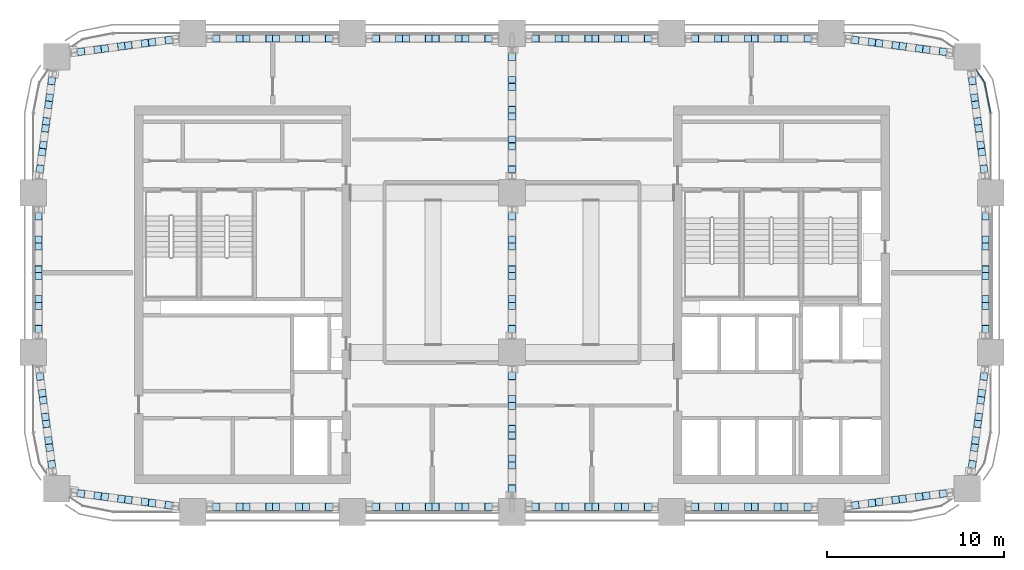
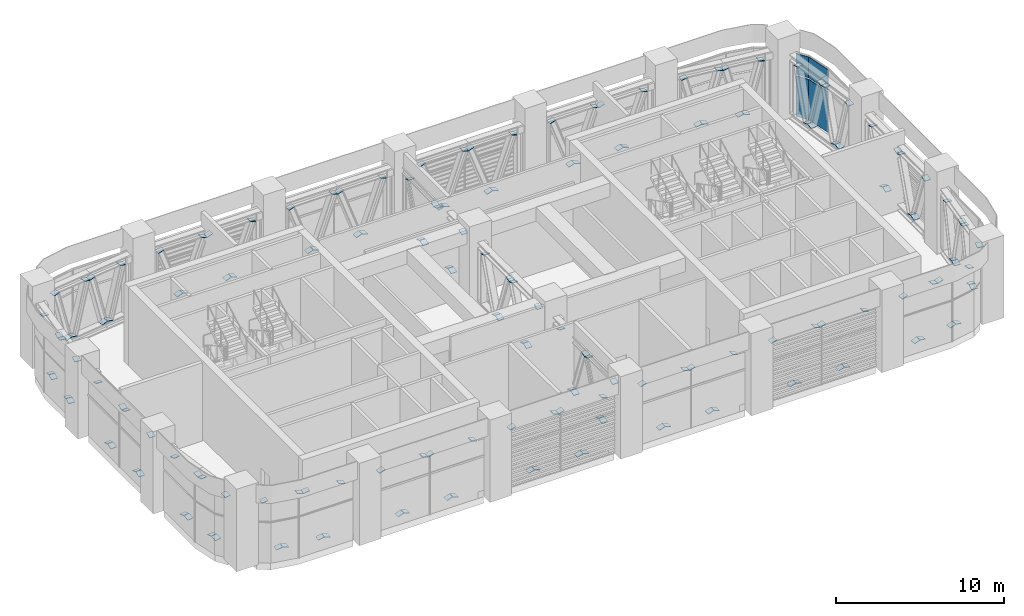
# One storey, part 11 of 19: 170 plates, 1 element without a shape of its own.
"""IFC4 building model written with IfcOpenShell, lengths in metres."""

from ifc_helpers import new_model, si_unit, direction, frame, origin, origin_2d, place, context, subcontext, project, spatial, polyline, rectangle, outline, extrude, material, layer, layer_set, type_object, element, aggregate, save


model = new_model("IFC4")

# Units and contexts
model_context = context("Model", 3, precision=1e-05, world=origin(), true_north=direction((0.0, 1.0)))
body_context = subcontext(model_context, "Body", "Model", "MODEL_VIEW")
ifc_project = project(units=[si_unit("LENGTHUNIT", "METRE"), si_unit("AREAUNIT", "SQUARE_METRE"), si_unit("VOLUMEUNIT", "CUBIC_METRE"), si_unit("PLANEANGLEUNIT", "RADIAN"), si_unit("MASSUNIT", "GRAM", prefix="KILO")], contexts=[model_context])

# Site, building, storey
site_placement = place(None, origin())
site = spatial("IfcSite", under=ifc_project, at=site_placement, CompositionType="ELEMENT")
building_placement = place(site_placement, origin())
building = spatial("IfcBuilding", under=site, at=building_placement, Name="Tessera Arch", CompositionType="ELEMENT")
storey_placement = place(building_placement, frame((0.0, 0.0, 197.300048828125)))
storey = spatial("IfcBuildingStorey", under=building, at=storey_placement, Name="L47", CompositionType="ELEMENT", Elevation=197.300048828125)

# Curtain wall, plates
ifc_material_1 = material(Name="CW7 curtain wall")
curtain_wall_type = type_object("IfcCurtainWallType", Name="CW7 curtain wall", PredefinedType="NOTDEFINED", material=ifc_material_1)
curtain_wall_placement = place(storey_placement, origin())
curtain_wall = element("IfcCurtainWall", 1, at=curtain_wall_placement, inside=storey, type_object=curtain_wall_type, Name="CW7 curtain wall E54.27/1 L47", PredefinedType="NOTDEFINED")
ifc_material_2 = material(Name="Pale anodised aluminium panel", Category="aluminium")
ifc_layer_1 = layer(ifc_material_2, 0.06005859375)
ifc_layer_set_1 = layer_set([ifc_layer_1], Name="CW7 plant wall panel")
plate_type_1 = type_object("IfcPlateType", Name="CW7 plant wall panel", PredefinedType="CURTAIN_PANEL", material=ifc_layer_set_1)
plate_1_placement = place(storey_placement, origin())
plate_1 = element("IfcPlate", 2, at=plate_1_placement, type_object=plate_type_1, Name="CW7 curved plant wall panel E54.27/1 2.1", PredefinedType="CURTAIN_PANEL", context=body_context, shape_type="SweptSolid", body=[
    extrude(outline(polyline([(53.629150390625, 51.21044921875), (53.96484375, 49.523681640625), (54.023681640625, 49.53515625), (53.685791015625, 51.23388671875), (53.2080078125, 51.94873046875), (53.158203125, 51.915283203125), (53.629150390625, 51.21044921875)])), origin(), (0.0, 0.0, 1.0), 2.93994140625),
])
plate_2_placement = place(storey_placement, frame((0.0, 0.0, 3.06005859375)))
plate_2 = element("IfcPlate", 3, at=plate_2_placement, type_object=plate_type_1, Name="CW7 curved plant wall panel E54.27/1 2.2", PredefinedType="CURTAIN_PANEL", context=body_context, shape_type="SweptSolid", body=[
    extrude(outline(polyline([(53.629150390625, 51.21044921875), (53.96484375, 49.523681640625), (54.023681640625, 49.53515625), (53.685791015625, 51.23388671875), (53.2080078125, 51.94873046875), (53.158203125, 51.915283203125), (53.629150390625, 51.21044921875)])), origin(), (0.0, 0.0, 1.0), 1.519775390625),
])
aggregate(curtain_wall, [plate_1, plate_2])

# Plates
ifc_material_3 = material(Name="Steel A572 Gr50", Category="steel")
ifc_layer_2 = layer(ifc_material_3, 0.0400390625)
ifc_layer_set_2 = layer_set([ifc_layer_2], Name="End plate W14x257")
plate_type_2 = type_object("IfcPlateType", Name="End plate W14x257", PredefinedType="SHEET", material=ifc_layer_set_2)
for number, where, z_axis, x_axis, name in (
    (4, (53.699951171875, 37.33251953125, 4.176513671875), (0.0, 0.336336396998, -0.941741911595), (-1.0, 0.0, 0.0), "End plate Belt truss diagonal 1 end 1"),
    (5, (53.699951171875, 38.61962890625, 0.56103515625), (0.0, 0.334409845171, -0.942427745481), (-1.0, 0.0, 0.0), "End plate Belt truss diagonal 1 end 2"),
    (6, (53.699951171875, 39.0107421875, 0.523193359375), (0.0, 0.334409845171, 0.942427745481), (-1.0, 0.0, 0.0), "End plate Belt truss diagonal 2 end 1"),
    (7, (53.699951171875, 40.2978515625, 4.138916015625), (0.0, 0.336336396998, 0.941741911595), (-1.0, 0.0, 0.0), "End plate Belt truss diagonal 2 end 2"),
    (8, (53.699951171875, 40.688720703125, 4.176513671875), (0.0, 0.336336396998, -0.941741911595), (-1.0, 0.0, 0.0), "End plate Belt truss diagonal 3 end 1"),
    (9, (53.699951171875, 41.975830078125, 0.56103515625), (0.0, 0.334409845171, -0.942427745481), (-1.0, 0.0, 0.0), "End plate Belt truss diagonal 3 end 2"),
    (10, (53.699951171875, 42.366943359375, 0.523193359375), (0.0, 0.334409845171, 0.942427745481), (-1.0, 0.0, 0.0), "End plate Belt truss diagonal 4 end 1"),
    (11, (53.699951171875, 43.654052734375, 4.138916015625), (0.0, 0.336336396998, 0.941741911595), (-1.0, 0.0, 0.0), "End plate Belt truss diagonal 4 end 2"),
    (12, (53.616455078125, 46.362548828125, 4.195068359375), (-0.030482138737, 0.243857109896, -0.969332011837), (-0.992277876714, -0.124034734589, 0.0), "End plate Belt truss diagonal 1 end 1"),
    (13, (53.492919921875, 47.297119140625, 0.543701171875), (-0.030436359126, 0.249578144836, -0.967876220218), (-0.992645877551, -0.121054375311, 0.0), "End plate Belt truss diagonal 1 end 2"),
    (14, (53.440185546875, 47.696044921875, 0.5048828125), (-0.030436359126, 0.249578144836, 0.967876220218), (-0.992645877551, -0.121054375311, 0.0), "End plate Belt truss diagonal 2 end 1"),
    (15, (53.316650390625, 48.630859375, 4.15625), (-0.030482138737, 0.243857109896, 0.969332011837), (-0.992277876714, -0.124034734589, 0.0), "End plate Belt truss diagonal 2 end 2"),
    (16, (53.263916015625, 49.02978515625, 4.195068359375), (-0.030482138737, 0.243857109896, -0.969332011837), (-0.992277876714, -0.124034734589, 0.0), "End plate Belt truss diagonal 3 end 1"),
    (17, (53.140380859375, 49.96435546875, 0.543701171875), (-0.030436359126, 0.249578144836, -0.967876220218), (-0.992645877551, -0.121054375311, 0.0), "End plate Belt truss diagonal 3 end 2"),
    (18, (53.087890625, 50.36328125, 0.5048828125), (-0.036516189644, 0.249527295897, 0.967679025553), (-0.989461064134, -0.144799180117, 0.0), "End plate Belt truss diagonal 4 end 1"),
    (19, (52.96435546875, 51.298095703125, 4.15625), (-0.036571091555, 0.243807277034, 0.969133926208), (-0.988936352868, -0.14834045293, 0.0), "End plate Belt truss diagonal 4 end 2"),
    (20, (51.307861328125, 52.962890625, 4.195068359375), (-0.243807277034, 0.036571091555, -0.969133926208), (-0.14834045293, -0.988936352868, 0.0), "End plate Belt truss diagonal 1 end 1"),
    (21, (50.373291015625, 53.08642578125, 0.543701171875), (-0.249527295897, 0.036516189644, -0.967679025553), (-0.144799180117, -0.989461064134, 0.0), "End plate Belt truss diagonal 1 end 2"),
    (22, (49.974365234375, 53.13916015625, 0.5048828125), (-0.249578144836, 0.030436359126, 0.967876220218), (-0.121054375311, -0.992645877551, 0.0), "End plate Belt truss diagonal 2 end 1"),
    (23, (49.03955078125, 53.2626953125, 4.15625), (-0.243857109896, 0.030482138737, 0.969332011837), (-0.124034734589, -0.992277876714, 0.0), "End plate Belt truss diagonal 2 end 2"),
    (24, (48.640625, 53.3154296875, 4.195068359375), (-0.243857109896, 0.030482138737, -0.969332011837), (-0.124034734589, -0.992277876714, 0.0), "End plate Belt truss diagonal 3 end 1"),
    (25, (47.7060546875, 53.43896484375, 0.543701171875), (-0.249578144836, 0.030436359126, -0.967876220218), (-0.121054375311, -0.992645877551, 0.0), "End plate Belt truss diagonal 3 end 2"),
    (26, (47.30712890625, 53.49169921875, 0.5048828125), (-0.249578144836, 0.030436359126, 0.967876220218), (-0.121054375311, -0.992645877551, 0.0), "End plate Belt truss diagonal 4 end 1"),
    (27, (46.372314453125, 53.615234375, 4.15625), (-0.243857109896, 0.030482138737, 0.969332011837), (-0.124034734589, -0.992277876714, 0.0), "End plate Belt truss diagonal 4 end 2"),
    (28, (43.66748046875, 53.699951171875, 4.176513671875), (-0.336336396998, 0.0, -0.941741911595), (0.0, -1.0, 0.0), "End plate Belt truss diagonal 1 end 1"),
    (29, (42.38037109375, 53.699951171875, 0.56103515625), (-0.334409845171, 0.0, -0.942427745481), (0.0, -1.0, 0.0), "End plate Belt truss diagonal 1 end 2"),
    (30, (41.9892578125, 53.699951171875, 0.523193359375), (-0.334409845171, 0.0, 0.942427745481), (0.0, -1.0, 0.0), "End plate Belt truss diagonal 2 end 1"),
    (31, (40.7021484375, 53.699951171875, 4.138916015625), (-0.336336396998, 0.0, 0.941741911595), (0.0, -1.0, 0.0), "End plate Belt truss diagonal 2 end 2"),
    (32, (40.311279296875, 53.699951171875, 4.176513671875), (-0.336336396998, 0.0, -0.941741911595), (0.0, -1.0, 0.0), "End plate Belt truss diagonal 3 end 1"),
    (33, (39.024169921875, 53.699951171875, 0.56103515625), (-0.334409845171, 0.0, -0.942427745481), (0.0, -1.0, 0.0), "End plate Belt truss diagonal 3 end 2"),
    (34, (38.633056640625, 53.699951171875, 0.523193359375), (-0.334409845171, 0.0, 0.942427745481), (0.0, -1.0, 0.0), "End plate Belt truss diagonal 4 end 1"),
    (35, (37.345947265625, 53.699951171875, 4.138916015625), (-0.336336396998, 0.0, 0.941741911595), (0.0, -1.0, 0.0), "End plate Belt truss diagonal 4 end 2"),
    (36, (34.66748046875, 53.699951171875, 4.176513671875), (-0.336336396998, 0.0, -0.941741911595), (0.0, -1.0, 0.0), "End plate Belt truss diagonal 1 end 1"),
    (37, (33.38037109375, 53.699951171875, 0.56103515625), (-0.334409845171, 0.0, -0.942427745481), (0.0, -1.0, 0.0), "End plate Belt truss diagonal 1 end 2"),
    (38, (32.9892578125, 53.699951171875, 0.523193359375), (-0.334409845171, 0.0, 0.942427745481), (0.0, -1.0, 0.0), "End plate Belt truss diagonal 2 end 1"),
    (39, (31.7021484375, 53.699951171875, 4.138916015625), (-0.336336396998, 0.0, 0.941741911595), (0.0, -1.0, 0.0), "End plate Belt truss diagonal 2 end 2"),
    (40, (31.311279296875, 53.699951171875, 4.176513671875), (-0.336336396998, 0.0, -0.941741911595), (0.0, -1.0, 0.0), "End plate Belt truss diagonal 3 end 1"),
    (41, (30.024169921875, 53.699951171875, 0.56103515625), (-0.334409845171, 0.0, -0.942427745481), (0.0, -1.0, 0.0), "End plate Belt truss diagonal 3 end 2"),
    (42, (29.633056640625, 53.699951171875, 0.523193359375), (-0.334409845171, 0.0, 0.942427745481), (0.0, -1.0, 0.0), "End plate Belt truss diagonal 4 end 1"),
    (43, (28.345947265625, 53.699951171875, 4.138916015625), (-0.336336396998, 0.0, 0.941741911595), (0.0, -1.0, 0.0), "End plate Belt truss diagonal 4 end 2"),
    (44, (25.66748046875, 53.699951171875, 4.176513671875), (-0.336336396998, 0.0, -0.941741911595), (0.0, -1.0, 0.0), "End plate Belt truss diagonal 1 end 1"),
    (45, (24.38037109375, 53.699951171875, 0.56103515625), (-0.334409845171, 0.0, -0.942427745481), (0.0, -1.0, 0.0), "End plate Belt truss diagonal 1 end 2"),
    (46, (23.9892578125, 53.699951171875, 0.523193359375), (-0.334409845171, 0.0, 0.942427745481), (0.0, -1.0, 0.0), "End plate Belt truss diagonal 2 end 1"),
    (47, (22.7021484375, 53.699951171875, 4.138916015625), (-0.336336396998, 0.0, 0.941741911595), (0.0, -1.0, 0.0), "End plate Belt truss diagonal 2 end 2"),
    (48, (22.311279296875, 53.699951171875, 4.176513671875), (-0.336336396998, 0.0, -0.941741911595), (0.0, -1.0, 0.0), "End plate Belt truss diagonal 3 end 1"),
    (49, (21.024169921875, 53.699951171875, 0.56103515625), (-0.334409845171, 0.0, -0.942427745481), (0.0, -1.0, 0.0), "End plate Belt truss diagonal 3 end 2"),
    (50, (20.633056640625, 53.699951171875, 0.523193359375), (-0.334409845171, 0.0, 0.942427745481), (0.0, -1.0, 0.0), "End plate Belt truss diagonal 4 end 1"),
    (51, (19.345947265625, 53.699951171875, 4.138916015625), (-0.336336396998, 0.0, 0.941741911595), (0.0, -1.0, 0.0), "End plate Belt truss diagonal 4 end 2"),
    (52, (16.66748046875, 53.699951171875, 4.176513671875), (-0.336336396998, 0.0, -0.941741911595), (0.0, -1.0, 0.0), "End plate Belt truss diagonal 1 end 1"),
    (53, (15.38037109375, 53.699951171875, 0.56103515625), (-0.334409845171, 0.0, -0.942427745481), (0.0, -1.0, 0.0), "End plate Belt truss diagonal 1 end 2"),
    (54, (14.9892578125, 53.699951171875, 0.523193359375), (-0.334409845171, 0.0, 0.942427745481), (0.0, -1.0, 0.0), "End plate Belt truss diagonal 2 end 1"),
    (55, (13.7021484375, 53.699951171875, 4.138916015625), (-0.336336396998, 0.0, 0.941741911595), (0.0, -1.0, 0.0), "End plate Belt truss diagonal 2 end 2"),
    (56, (13.311279296875, 53.699951171875, 4.176513671875), (-0.336336396998, 0.0, -0.941741911595), (0.0, -1.0, 0.0), "End plate Belt truss diagonal 3 end 1"),
    (57, (12.024169921875, 53.699951171875, 0.56103515625), (-0.334409845171, 0.0, -0.942427745481), (0.0, -1.0, 0.0), "End plate Belt truss diagonal 3 end 2"),
    (58, (11.633056640625, 53.699951171875, 0.523193359375), (-0.334409845171, 0.0, 0.942427745481), (0.0, -1.0, 0.0), "End plate Belt truss diagonal 4 end 1"),
    (59, (10.345947265625, 53.699951171875, 4.138916015625), (-0.336336396998, 0.0, 0.941741911595), (0.0, -1.0, 0.0), "End plate Belt truss diagonal 4 end 2"),
    (60, (7.637451171875, 53.616455078125, 4.195068359375), (-0.243857109896, -0.030482138737, -0.969332011837), (0.124034734589, -0.992277876714, 0.0), "End plate Belt truss diagonal 1 end 1"),
    (61, (6.702880859375, 53.492919921875, 0.543701171875), (-0.249578144836, -0.030436359126, -0.967876220218), (0.121054375311, -0.992645877551, 0.0), "End plate Belt truss diagonal 1 end 2"),
    (62, (6.303955078125, 53.440185546875, 0.5048828125), (-0.249578144836, -0.030436359126, 0.967876220218), (0.121054375311, -0.992645877551, 0.0), "End plate Belt truss diagonal 2 end 1"),
    (63, (5.369140625, 53.316650390625, 4.15625), (-0.243857109896, -0.030482138737, 0.969332011837), (0.124034734589, -0.992277876714, 0.0), "End plate Belt truss diagonal 2 end 2"),
    (64, (4.97021484375, 53.263916015625, 4.195068359375), (-0.243857109896, -0.030482138737, -0.969332011837), (0.124034734589, -0.992277876714, 0.0), "End plate Belt truss diagonal 3 end 1"),
    (65, (4.03564453125, 53.140380859375, 0.543701171875), (-0.249578144836, -0.030436359126, -0.967876220218), (0.121054375311, -0.992645877551, 0.0), "End plate Belt truss diagonal 3 end 2"),
    (66, (3.63671875, 53.087890625, 0.5048828125), (-0.249527295897, -0.036516189644, 0.967679025553), (0.144799180117, -0.989461064134, 0.0), "End plate Belt truss diagonal 4 end 1"),
    (67, (2.701904296875, 52.96435546875, 4.15625), (-0.243807277034, -0.036571091555, 0.969133926208), (0.14834045293, -0.988936352868, 0.0), "End plate Belt truss diagonal 4 end 2"),
    (68, (1.037109375, 51.307861328125, 4.195068359375), (-0.036571091555, -0.243807277034, -0.969133926208), (0.988936352868, -0.14834045293, 0.0), "End plate Belt truss diagonal 1 end 1"),
    (69, (0.91357421875, 50.373291015625, 0.543701171875), (-0.036516189644, -0.249527295897, -0.967679025553), (0.989461064134, -0.144799180117, 0.0), "End plate Belt truss diagonal 1 end 2"),
    (70, (0.86083984375, 49.974365234375, 0.5048828125), (-0.030436359126, -0.249578144836, 0.967876220218), (0.992645877551, -0.121054375311, 0.0), "End plate Belt truss diagonal 2 end 1"),
    (71, (0.7373046875, 49.03955078125, 4.15625), (-0.030482138737, -0.243857109896, 0.969332011837), (0.992277876714, -0.124034734589, 0.0), "End plate Belt truss diagonal 2 end 2"),
    (72, (0.6845703125, 48.640625, 4.195068359375), (-0.030482138737, -0.243857109896, -0.969332011837), (0.992277876714, -0.124034734589, 0.0), "End plate Belt truss diagonal 3 end 1"),
    (73, (0.56103515625, 47.7060546875, 0.543701171875), (-0.030436359126, -0.249578144836, -0.967876220218), (0.992645877551, -0.121054375311, 0.0), "End plate Belt truss diagonal 3 end 2"),
    (74, (0.50830078125, 47.30712890625, 0.5048828125), (-0.030436359126, -0.249578144836, 0.967876220218), (0.992645877551, -0.121054375311, 0.0), "End plate Belt truss diagonal 4 end 1"),
    (75, (0.384765625, 46.372314453125, 4.15625), (-0.030482138737, -0.243857109896, 0.969332011837), (0.992277876714, -0.124034734589, 0.0), "End plate Belt truss diagonal 4 end 2"),
    (76, (0.300048828125, 43.66748046875, 4.176513671875), (0.0, -0.336336396998, -0.941741911595), (1.0, 0.0, 0.0), "End plate Belt truss diagonal 1 end 1"),
    (77, (0.300048828125, 42.38037109375, 0.56103515625), (0.0, -0.334409845171, -0.942427745481), (1.0, 0.0, 0.0), "End plate Belt truss diagonal 1 end 2"),
    (78, (0.300048828125, 41.9892578125, 0.523193359375), (0.0, -0.334409845171, 0.942427745481), (1.0, 0.0, 0.0), "End plate Belt truss diagonal 2 end 1"),
    (79, (0.300048828125, 40.7021484375, 4.138916015625), (0.0, -0.336336396998, 0.941741911595), (1.0, 0.0, 0.0), "End plate Belt truss diagonal 2 end 2"),
    (80, (0.300048828125, 40.311279296875, 4.176513671875), (0.0, -0.336336396998, -0.941741911595), (1.0, 0.0, 0.0), "End plate Belt truss diagonal 3 end 1"),
    (81, (0.300048828125, 39.024169921875, 0.56103515625), (0.0, -0.334409845171, -0.942427745481), (1.0, 0.0, 0.0), "End plate Belt truss diagonal 3 end 2"),
    (82, (0.300048828125, 38.633056640625, 0.523193359375), (0.0, -0.334409845171, 0.942427745481), (1.0, 0.0, 0.0), "End plate Belt truss diagonal 4 end 1"),
    (83, (0.300048828125, 37.345947265625, 4.138916015625), (0.0, -0.336336396998, 0.941741911595), (1.0, 0.0, 0.0), "End plate Belt truss diagonal 4 end 2"),
    (84, (0.383544921875, 34.637451171875, 4.195068359375), (0.030482138737, -0.243857109896, -0.969332011837), (0.992277876714, 0.124034734589, 0.0), "End plate Belt truss diagonal 1 end 1"),
    (85, (0.507080078125, 33.702880859375, 0.543701171875), (0.030436359126, -0.249578144836, -0.967876220218), (0.992645877551, 0.121054375311, 0.0), "End plate Belt truss diagonal 1 end 2"),
    (86, (0.559814453125, 33.303955078125, 0.5048828125), (0.030436359126, -0.249578144836, 0.967876220218), (0.992645877551, 0.121054375311, 0.0), "End plate Belt truss diagonal 2 end 1"),
    (87, (0.683349609375, 32.369140625, 4.15625), (0.030482138737, -0.243857109896, 0.969332011837), (0.992277876714, 0.124034734589, 0.0), "End plate Belt truss diagonal 2 end 2"),
    (88, (0.736083984375, 31.97021484375, 4.195068359375), (0.030482138737, -0.243857109896, -0.969332011837), (0.992277876714, 0.124034734589, 0.0), "End plate Belt truss diagonal 3 end 1"),
    (89, (0.859619140625, 31.03564453125, 0.543701171875), (0.030436359126, -0.249578144836, -0.967876220218), (0.992645877551, 0.121054375311, 0.0), "End plate Belt truss diagonal 3 end 2"),
    (90, (0.912109375, 30.63671875, 0.5048828125), (0.036516189644, -0.249527295897, 0.967679025553), (0.989461064134, 0.144799180117, 0.0), "End plate Belt truss diagonal 4 end 1"),
    (91, (1.03564453125, 29.701904296875, 4.15625), (0.036571091555, -0.243807277034, 0.969133926208), (0.988936352868, 0.14834045293, 0.0), "End plate Belt truss diagonal 4 end 2"),
    (92, (2.692138671875, 28.037109375, 4.195068359375), (0.243807277034, -0.036571091555, -0.969133926208), (0.14834045293, 0.988936352868, 0.0), "End plate Belt truss diagonal 1 end 1"),
    (93, (3.626708984375, 27.91357421875, 0.543701171875), (0.249527295897, -0.036516189644, -0.967679025553), (0.144799180117, 0.989461064134, 0.0), "End plate Belt truss diagonal 1 end 2"),
    (94, (4.025634765625, 27.86083984375, 0.5048828125), (0.249578144836, -0.030436359126, 0.967876220218), (0.121054375311, 0.992645877551, 0.0), "End plate Belt truss diagonal 2 end 1"),
    (95, (4.96044921875, 27.7373046875, 4.15625), (0.243857109896, -0.030482138737, 0.969332011837), (0.124034734589, 0.992277876714, 0.0), "End plate Belt truss diagonal 2 end 2"),
    (96, (5.359375, 27.6845703125, 4.195068359375), (0.243857109896, -0.030482138737, -0.969332011837), (0.124034734589, 0.992277876714, 0.0), "End plate Belt truss diagonal 3 end 1"),
    (97, (6.2939453125, 27.56103515625, 0.543701171875), (0.249578144836, -0.030436359126, -0.967876220218), (0.121054375311, 0.992645877551, 0.0), "End plate Belt truss diagonal 3 end 2"),
    (98, (6.69287109375, 27.50830078125, 0.5048828125), (0.249578144836, -0.030436359126, 0.967876220218), (0.121054375311, 0.992645877551, 0.0), "End plate Belt truss diagonal 4 end 1"),
    (99, (7.627685546875, 27.384765625, 4.15625), (0.243857109896, -0.030482138737, 0.969332011837), (0.124034734589, 0.992277876714, 0.0), "End plate Belt truss diagonal 4 end 2"),
    (100, (10.33251953125, 27.300048828125, 4.176513671875), (0.336336396998, 0.0, -0.941741911595), (0.0, 1.0, 0.0), "End plate Belt truss diagonal 1 end 1"),
    (101, (11.61962890625, 27.300048828125, 0.56103515625), (0.334409845171, 0.0, -0.942427745481), (0.0, 1.0, 0.0), "End plate Belt truss diagonal 1 end 2"),
    (102, (12.0107421875, 27.300048828125, 0.523193359375), (0.334409845171, 0.0, 0.942427745481), (0.0, 1.0, 0.0), "End plate Belt truss diagonal 2 end 1"),
    (103, (13.2978515625, 27.300048828125, 4.138916015625), (0.336336396998, 0.0, 0.941741911595), (0.0, 1.0, 0.0), "End plate Belt truss diagonal 2 end 2"),
    (104, (13.688720703125, 27.300048828125, 4.176513671875), (0.336336396998, 0.0, -0.941741911595), (0.0, 1.0, 0.0), "End plate Belt truss diagonal 3 end 1"),
    (105, (14.975830078125, 27.300048828125, 0.56103515625), (0.334409845171, 0.0, -0.942427745481), (0.0, 1.0, 0.0), "End plate Belt truss diagonal 3 end 2"),
    (106, (15.366943359375, 27.300048828125, 0.523193359375), (0.334409845171, 0.0, 0.942427745481), (0.0, 1.0, 0.0), "End plate Belt truss diagonal 4 end 1"),
    (107, (16.654052734375, 27.300048828125, 4.138916015625), (0.336336396998, 0.0, 0.941741911595), (0.0, 1.0, 0.0), "End plate Belt truss diagonal 4 end 2"),
    (108, (19.33251953125, 27.300048828125, 4.176513671875), (0.336336396998, 0.0, -0.941741911595), (0.0, 1.0, 0.0), "End plate Belt truss diagonal 1 end 1"),
    (109, (20.61962890625, 27.300048828125, 0.56103515625), (0.334409845171, 0.0, -0.942427745481), (0.0, 1.0, 0.0), "End plate Belt truss diagonal 1 end 2"),
    (110, (21.0107421875, 27.300048828125, 0.523193359375), (0.334409845171, 0.0, 0.942427745481), (0.0, 1.0, 0.0), "End plate Belt truss diagonal 2 end 1"),
    (111, (22.2978515625, 27.300048828125, 4.138916015625), (0.336336396998, 0.0, 0.941741911595), (0.0, 1.0, 0.0), "End plate Belt truss diagonal 2 end 2"),
    (112, (22.688720703125, 27.300048828125, 4.176513671875), (0.336336396998, 0.0, -0.941741911595), (0.0, 1.0, 0.0), "End plate Belt truss diagonal 3 end 1"),
    (113, (23.975830078125, 27.300048828125, 0.56103515625), (0.334409845171, 0.0, -0.942427745481), (0.0, 1.0, 0.0), "End plate Belt truss diagonal 3 end 2"),
    (114, (24.366943359375, 27.300048828125, 0.523193359375), (0.334409845171, 0.0, 0.942427745481), (0.0, 1.0, 0.0), "End plate Belt truss diagonal 4 end 1"),
    (115, (25.654052734375, 27.300048828125, 4.138916015625), (0.336336396998, 0.0, 0.941741911595), (0.0, 1.0, 0.0), "End plate Belt truss diagonal 4 end 2"),
    (116, (28.33251953125, 27.300048828125, 4.176513671875), (0.336336396998, 0.0, -0.941741911595), (0.0, 1.0, 0.0), "End plate Belt truss diagonal 1 end 1"),
    (117, (29.61962890625, 27.300048828125, 0.56103515625), (0.334409845171, 0.0, -0.942427745481), (0.0, 1.0, 0.0), "End plate Belt truss diagonal 1 end 2"),
    (118, (30.0107421875, 27.300048828125, 0.523193359375), (0.334409845171, 0.0, 0.942427745481), (0.0, 1.0, 0.0), "End plate Belt truss diagonal 2 end 1"),
    (119, (31.2978515625, 27.300048828125, 4.138916015625), (0.336336396998, 0.0, 0.941741911595), (0.0, 1.0, 0.0), "End plate Belt truss diagonal 2 end 2"),
    (120, (31.688720703125, 27.300048828125, 4.176513671875), (0.336336396998, 0.0, -0.941741911595), (0.0, 1.0, 0.0), "End plate Belt truss diagonal 3 end 1"),
    (121, (32.975830078125, 27.300048828125, 0.56103515625), (0.334409845171, 0.0, -0.942427745481), (0.0, 1.0, 0.0), "End plate Belt truss diagonal 3 end 2"),
    (122, (33.366943359375, 27.300048828125, 0.523193359375), (0.334409845171, 0.0, 0.942427745481), (0.0, 1.0, 0.0), "End plate Belt truss diagonal 4 end 1"),
    (123, (34.654052734375, 27.300048828125, 4.138916015625), (0.336336396998, 0.0, 0.941741911595), (0.0, 1.0, 0.0), "End plate Belt truss diagonal 4 end 2"),
    (124, (37.33251953125, 27.300048828125, 4.176513671875), (0.336336396998, 0.0, -0.941741911595), (0.0, 1.0, 0.0), "End plate Belt truss diagonal 1 end 1"),
    (125, (38.61962890625, 27.300048828125, 0.56103515625), (0.334409845171, 0.0, -0.942427745481), (0.0, 1.0, 0.0), "End plate Belt truss diagonal 1 end 2"),
    (126, (39.0107421875, 27.300048828125, 0.523193359375), (0.334409845171, 0.0, 0.942427745481), (0.0, 1.0, 0.0), "End plate Belt truss diagonal 2 end 1"),
    (127, (40.2978515625, 27.300048828125, 4.138916015625), (0.336336396998, 0.0, 0.941741911595), (0.0, 1.0, 0.0), "End plate Belt truss diagonal 2 end 2"),
    (128, (40.688720703125, 27.300048828125, 4.176513671875), (0.336336396998, 0.0, -0.941741911595), (0.0, 1.0, 0.0), "End plate Belt truss diagonal 3 end 1"),
    (129, (41.975830078125, 27.300048828125, 0.56103515625), (0.334409845171, 0.0, -0.942427745481), (0.0, 1.0, 0.0), "End plate Belt truss diagonal 3 end 2"),
    (130, (42.366943359375, 27.300048828125, 0.523193359375), (0.334409845171, 0.0, 0.942427745481), (0.0, 1.0, 0.0), "End plate Belt truss diagonal 4 end 1"),
    (131, (43.654052734375, 27.300048828125, 4.138916015625), (0.336336396998, 0.0, 0.941741911595), (0.0, 1.0, 0.0), "End plate Belt truss diagonal 4 end 2"),
    (132, (46.362548828125, 27.383544921875, 4.195068359375), (0.243857109896, 0.030482138737, -0.969332011837), (-0.124034734589, 0.992277876714, 0.0), "End plate Belt truss diagonal 1 end 1"),
    (133, (47.297119140625, 27.507080078125, 0.543701171875), (0.249578144836, 0.030436359126, -0.967876220218), (-0.121054375311, 0.992645877551, 0.0), "End plate Belt truss diagonal 1 end 2"),
    (134, (47.696044921875, 27.559814453125, 0.5048828125), (0.249578144836, 0.030436359126, 0.967876220218), (-0.121054375311, 0.992645877551, 0.0), "End plate Belt truss diagonal 2 end 1"),
    (135, (48.630859375, 27.683349609375, 4.15625), (0.243857109896, 0.030482138737, 0.969332011837), (-0.124034734589, 0.992277876714, 0.0), "End plate Belt truss diagonal 2 end 2"),
    (136, (49.02978515625, 27.736083984375, 4.195068359375), (0.243857109896, 0.030482138737, -0.969332011837), (-0.124034734589, 0.992277876714, 0.0), "End plate Belt truss diagonal 3 end 1"),
    (137, (49.96435546875, 27.859619140625, 0.543701171875), (0.249578144836, 0.030436359126, -0.967876220218), (-0.121054375311, 0.992645877551, 0.0), "End plate Belt truss diagonal 3 end 2"),
    (138, (50.36328125, 27.912109375, 0.5048828125), (0.249527295897, 0.036516189644, 0.967679025553), (-0.144799180117, 0.989461064134, 0.0), "End plate Belt truss diagonal 4 end 1"),
    (139, (51.298095703125, 28.03564453125, 4.15625), (0.243807277034, 0.036571091555, 0.969133926208), (-0.14834045293, 0.988936352868, 0.0), "End plate Belt truss diagonal 4 end 2"),
    (140, (52.962890625, 29.692138671875, 4.195068359375), (0.036571091555, 0.243807277034, -0.969133926208), (-0.988936352868, 0.14834045293, 0.0), "End plate Belt truss diagonal 1 end 1"),
    (141, (53.08642578125, 30.626708984375, 0.543701171875), (0.036516189644, 0.249527295897, -0.967679025553), (-0.989461064134, 0.144799180117, 0.0), "End plate Belt truss diagonal 1 end 2"),
    (142, (53.13916015625, 31.025634765625, 0.5048828125), (0.030436359126, 0.249578144836, 0.967876220218), (-0.992645877551, 0.121054375311, 0.0), "End plate Belt truss diagonal 2 end 1"),
    (143, (53.2626953125, 31.96044921875, 4.15625), (0.030482138737, 0.243857109896, 0.969332011837), (-0.992277876714, 0.124034734589, 0.0), "End plate Belt truss diagonal 2 end 2"),
    (144, (53.3154296875, 32.359375, 4.195068359375), (0.030482138737, 0.243857109896, -0.969332011837), (-0.992277876714, 0.124034734589, 0.0), "End plate Belt truss diagonal 3 end 1"),
    (145, (53.43896484375, 33.2939453125, 0.543701171875), (0.030436359126, 0.249578144836, -0.967876220218), (-0.992645877551, 0.121054375311, 0.0), "End plate Belt truss diagonal 3 end 2"),
    (146, (53.49169921875, 33.69287109375, 0.5048828125), (0.030436359126, 0.249578144836, 0.967876220218), (-0.992645877551, 0.121054375311, 0.0), "End plate Belt truss diagonal 4 end 1"),
    (147, (53.615234375, 34.627685546875, 4.15625), (0.030482138737, 0.243857109896, 0.969332011837), (-0.992277876714, 0.124034734589, 0.0), "End plate Belt truss diagonal 4 end 2"),
    (148, (27.0, 28.33251953125, 4.176513671875), (0.0, 0.336336396998, -0.941741911595), (-1.0, 0.0, 0.0), "End plate Belt truss diagonal 1 end 1"),
    (149, (27.0, 29.61962890625, 0.56103515625), (0.0, 0.334409845171, -0.942427745481), (-1.0, 0.0, 0.0), "End plate Belt truss diagonal 1 end 2"),
    (150, (27.0, 30.0107421875, 0.523193359375), (0.0, 0.334409845171, 0.942427745481), (-1.0, 0.0, 0.0), "End plate Belt truss diagonal 2 end 1"),
    (151, (27.0, 31.2978515625, 4.138916015625), (0.0, 0.336336396998, 0.941741911595), (-1.0, 0.0, 0.0), "End plate Belt truss diagonal 2 end 2"),
    (152, (27.0, 31.688720703125, 4.176513671875), (0.0, 0.336336396998, -0.941741911595), (-1.0, 0.0, 0.0), "End plate Belt truss diagonal 3 end 1"),
    (153, (27.0, 32.975830078125, 0.56103515625), (0.0, 0.334409845171, -0.942427745481), (-1.0, 0.0, 0.0), "End plate Belt truss diagonal 3 end 2"),
    (154, (27.0, 33.366943359375, 0.523193359375), (0.0, 0.334409845171, 0.942427745481), (-1.0, 0.0, 0.0), "End plate Belt truss diagonal 4 end 1"),
    (155, (27.0, 34.654052734375, 4.138916015625), (0.0, 0.336336396998, 0.941741911595), (-1.0, 0.0, 0.0), "End plate Belt truss diagonal 4 end 2"),
    (156, (27.0, 37.33251953125, 4.176513671875), (0.0, 0.336336396998, -0.941741911595), (-1.0, 0.0, 0.0), "End plate Belt truss diagonal 1 end 1"),
    (157, (27.0, 38.61962890625, 0.56103515625), (0.0, 0.334409845171, -0.942427745481), (-1.0, 0.0, 0.0), "End plate Belt truss diagonal 1 end 2"),
    (158, (27.0, 39.0107421875, 0.523193359375), (0.0, 0.334409845171, 0.942427745481), (-1.0, 0.0, 0.0), "End plate Belt truss diagonal 2 end 1"),
    (159, (27.0, 40.2978515625, 4.138916015625), (0.0, 0.336336396998, 0.941741911595), (-1.0, 0.0, 0.0), "End plate Belt truss diagonal 2 end 2"),
    (160, (27.0, 40.688720703125, 4.176513671875), (0.0, 0.336336396998, -0.941741911595), (-1.0, 0.0, 0.0), "End plate Belt truss diagonal 3 end 1"),
    (161, (27.0, 41.975830078125, 0.56103515625), (0.0, 0.334409845171, -0.942427745481), (-1.0, 0.0, 0.0), "End plate Belt truss diagonal 3 end 2"),
    (162, (27.0, 42.366943359375, 0.523193359375), (0.0, 0.334409845171, 0.942427745481), (-1.0, 0.0, 0.0), "End plate Belt truss diagonal 4 end 1"),
    (163, (27.0, 43.654052734375, 4.138916015625), (0.0, 0.336336396998, 0.941741911595), (-1.0, 0.0, 0.0), "End plate Belt truss diagonal 4 end 2"),
    (164, (27.0, 46.33251953125, 4.176513671875), (0.0, 0.336336396998, -0.941741911595), (-1.0, 0.0, 0.0), "End plate Belt truss diagonal 1 end 1"),
    (165, (27.0, 47.61962890625, 0.56103515625), (0.0, 0.334409845171, -0.942427745481), (-1.0, 0.0, 0.0), "End plate Belt truss diagonal 1 end 2"),
    (166, (27.0, 48.0107421875, 0.523193359375), (0.0, 0.334409845171, 0.942427745481), (-1.0, 0.0, 0.0), "End plate Belt truss diagonal 2 end 1"),
    (167, (27.0, 49.2978515625, 4.138916015625), (0.0, 0.336336396998, 0.941741911595), (-1.0, 0.0, 0.0), "End plate Belt truss diagonal 2 end 2"),
    (168, (27.0, 49.688720703125, 4.176513671875), (0.0, 0.336336396998, -0.941741911595), (-1.0, 0.0, 0.0), "End plate Belt truss diagonal 3 end 1"),
    (169, (27.0, 50.975830078125, 0.56103515625), (0.0, 0.334409845171, -0.942427745481), (-1.0, 0.0, 0.0), "End plate Belt truss diagonal 3 end 2"),
    (170, (27.0, 51.366943359375, 0.523193359375), (0.0, 0.334409845171, 0.942427745481), (-1.0, 0.0, 0.0), "End plate Belt truss diagonal 4 end 1"),
    (171, (27.0, 52.654052734375, 4.138916015625), (0.0, 0.336336396998, 0.941741911595), (-1.0, 0.0, 0.0), "End plate Belt truss diagonal 4 end 2"),
):
    element("IfcPlate", number, at=place(storey_placement, frame(where, z_axis=z_axis, x_axis=x_axis)), inside=storey, type_object=plate_type_2, Name=name, PredefinedType="SHEET", context=body_context, shape_type="SweptSolid", body=[
        extrude(rectangle(XDim=0.406494140625, YDim=0.41650390625, at=origin_2d()), origin(), (0.0, 0.0, 1.0), 0.0400390625),
    ])

save(model, "model.ifc")
